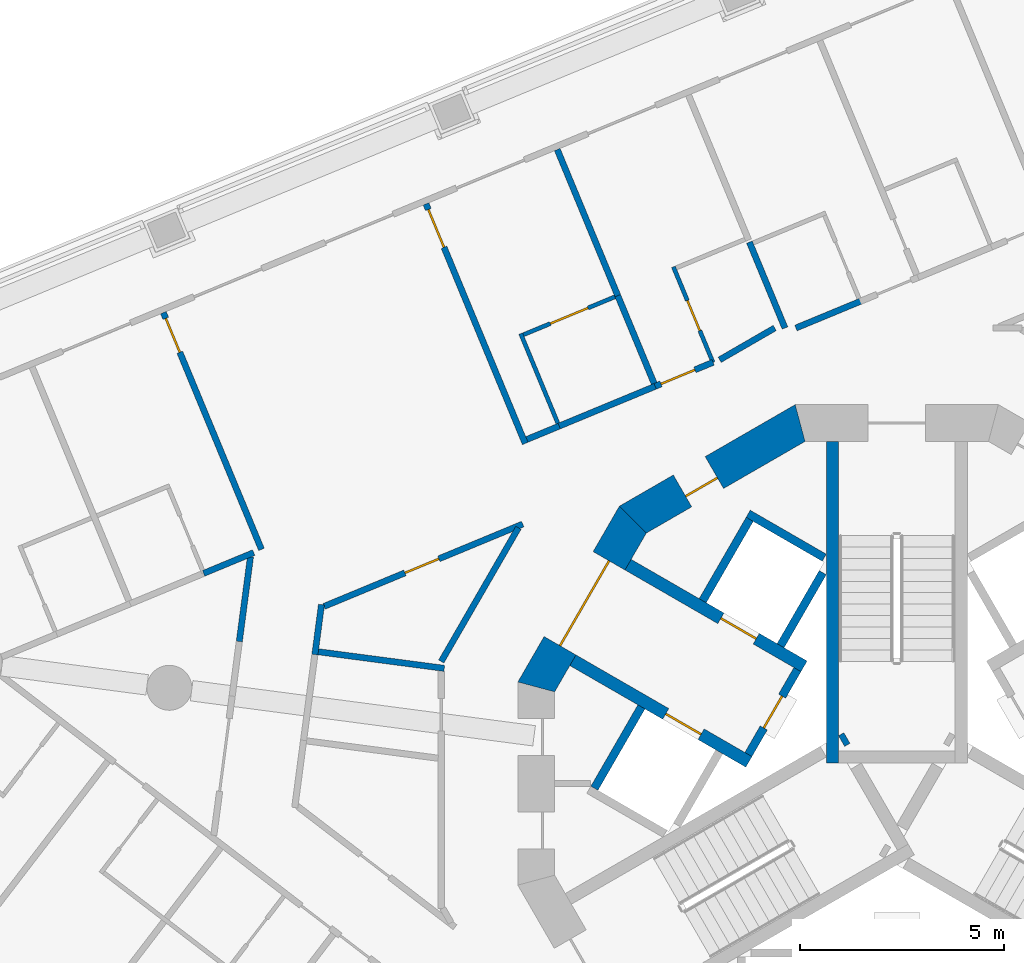
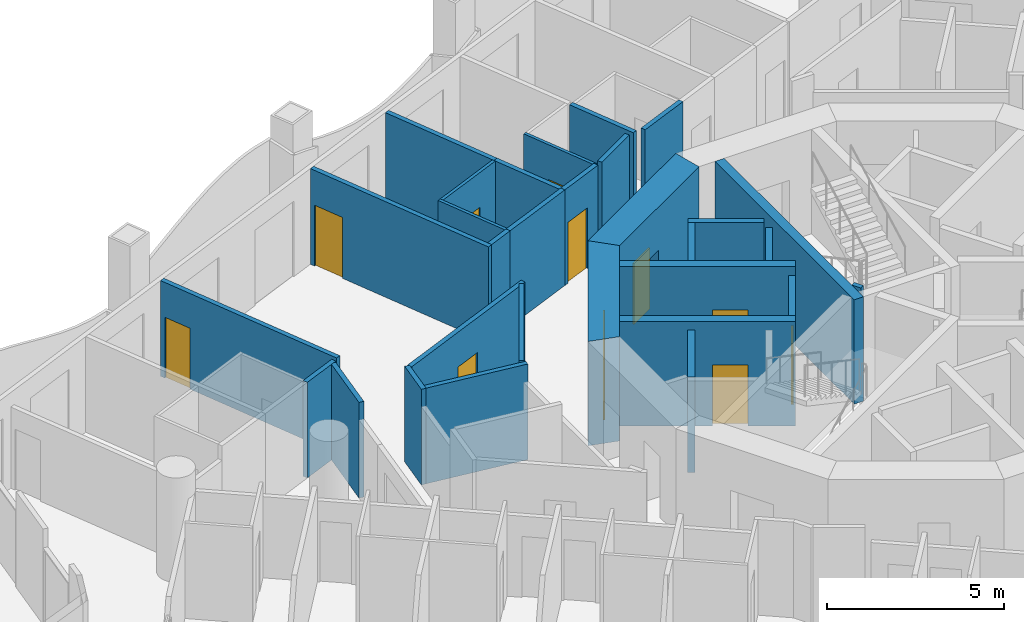
# One storey, part 7 of 18: 30 walls, 11 doors, 11 openings.
"""IFC4 building model written with IfcOpenShell, lengths in metres."""

from ifc_helpers import new_model, si_unit, direction, frame, frame_2d, origin, place, context, subcontext, project, spatial, polyline, rectangle, outline, extrude, material, layer, layer_set, type_object, element, fill, save


model = new_model("IFC4")

# Units and contexts
model_context = context("Model", 3, precision=1e-05, world=origin(), true_north=direction((0.0, 1.0)))
body_context = subcontext(model_context, "Body", "Model", "MODEL_VIEW")
ifc_project = project(units=[si_unit("LENGTHUNIT", "METRE"), si_unit("AREAUNIT", "SQUARE_METRE"), si_unit("VOLUMEUNIT", "CUBIC_METRE"), si_unit("PLANEANGLEUNIT", "RADIAN"), si_unit("MASSUNIT", "GRAM", prefix="KILO")], contexts=[model_context])

# Site, building, storey
site_placement = place(None, origin())
site = spatial("IfcSite", under=ifc_project, at=site_placement, CompositionType="ELEMENT")
building_placement = place(site_placement, origin())
building = spatial("IfcBuilding", under=site, at=building_placement, Name="Trine Commons Tower", CompositionType="ELEMENT")
storey_placement = place(building_placement, frame((0.0, 0.0, 142.199951171875)))
storey = spatial("IfcBuildingStorey", under=building, at=storey_placement, Name="L36", CompositionType="ELEMENT", Elevation=142.199951171875)

# Wall, opening, door
ifc_material_1 = material(Name="Fire-rated gypsum shaft wall system")
ifc_layer_1 = layer(ifc_material_1, 0.199951171875)
ifc_layer_set_1 = layer_set([ifc_layer_1], Name="Fire-rated gypsum shaft wall system")
wall_type_1 = type_object("IfcWallType", Name="Lobby end wall 200 mm, EI 120", PredefinedType="PARTITIONING", material=ifc_layer_set_1)
wall_1_placement = place(storey_placement, frame((77.569091796875, 65.2890625, 0.0), z_axis=(0.0, 0.0, 1.0), x_axis=(-0.50012165622, -0.865955154139, 0.0)))
wall_1 = element("IfcWall", 1, at=wall_1_placement, inside=storey, type_object=wall_type_1, Name="Lobby end wall L36", PredefinedType="PARTITIONING", context=body_context, shape_type="SweptSolid", body=[
    extrude(rectangle(XDim=2.39990234375, YDim=0.199951171875, at=frame_2d((1.199951171875, 0.0))), origin(), (0.0, 0.0, 1.0), 3.300048828125),
])
opening_1_placement = place(wall_1_placement, frame((0.749755859375, 0.0, 0.0)))
opening_1 = element("IfcOpeningElement", 2, at=opening_1_placement, cuts=wall_1, Name="Opening K11.07", PredefinedType="OPENING", context=body_context, shape_type="SweptSolid", body=[
    extrude(rectangle(XDim=0.89990234375, YDim=2.10009765625, at=frame_2d((0.449951171875, 1.050048828125))), frame((0.0, 0.10986328125, 0.0), z_axis=(0.0, -1.0, 0.0), x_axis=(1.0, 0.0, 0.0)), (0.0, 0.0, 1.0), 0.219970703125),
])
ifc_material_2 = material(Name="Steel door leaf, fire-rated", Category="steel")
door_type_1 = type_object("IfcDoorType", Name="Riser access door, single leaf 900 x 2100, FD60", OperationType="SINGLE_SWING_LEFT", PredefinedType="DOOR", material=ifc_material_2)
door_1_placement = place(opening_1_placement, frame((0.89990234375, 0.0, 0.0), z_axis=(0.0, 0.0, 1.0), x_axis=(-1.0, 0.0, 0.0)))
door_1 = element("IfcDoor", 3, at=door_1_placement, inside=storey, type_object=door_type_1, Name="Riser door, Mechanical riser L36", OperationType="SINGLE_SWING_RIGHT", OverallHeight=2.10009765625, OverallWidth=0.89990234375, PredefinedType="DOOR", context=body_context, shape_type="SweptSolid", body=[
    extrude(rectangle(XDim=0.89990234375, YDim=2.10009765625, at=frame_2d((0.449951171875, 1.050048828125))), frame((0.0, 0.02490234375, 0.0), z_axis=(0.0, -1.0, 0.0), x_axis=(1.0, 0.0, 0.0)), (0.0, 0.0, 1.0), 0.050048828125),
])
fill(opening_1, door_1)

ifc_material_3 = material(Name="Concrete C70/85", Category="concrete")
ifc_layer_2 = layer(ifc_material_3, 0.300048828125)
ifc_layer_set_2 = layer_set([ifc_layer_2], Name="Concrete C70/85")
wall_type_2 = type_object("IfcWallType", Name="RC shear wall 300 mm, C70/85", PredefinedType="SHEAR", material=ifc_layer_set_2)
wall_2_placement = place(storey_placement, frame((76.381103515625, 63.031005859375, 0.0), z_axis=(0.0, 0.0, 1.0), x_axis=(-0.866080953719, 0.499903772346, 0.0)))
wall_2 = element("IfcWall", 4, at=wall_2_placement, inside=storey, type_object=wall_type_2, Name="Core cross wall SWB-01 L36", PredefinedType="SHEAR", context=body_context, shape_type="SweptSolid", body=[
    extrude(rectangle(XDim=4.97314453125, YDim=0.300048828125, at=frame_2d((2.486572265625, 0.0))), origin(), (0.0, 0.0, 1.0), 3.60009765625),
])
opening_2_placement = place(wall_2_placement, frame((1.350341796875, 0.0, 0.0)))
opening_2 = element("IfcOpeningElement", 5, at=opening_2_placement, cuts=wall_2, Name="Opening LD7", PredefinedType="OPENING", context=body_context, shape_type="SweptSolid", body=[
    extrude(rectangle(XDim=1.0, YDim=2.10009765625, at=frame_2d((0.5, 1.050048828125))), frame((0.0, 0.159912109375, 0.0), z_axis=(0.0, -1.0, 0.0), x_axis=(1.0, 0.0, 0.0)), (0.0, 0.0, 1.0), 0.320068359375),
])
ifc_material_4 = material(Name="Stainless steel sliding door leaves", Category="steel")
door_type_2 = type_object("IfcDoorType", Name="Lift landing door, centre-opening sliding 1000 x 2100, FD90", OperationType="DOUBLE_DOOR_SLIDING", PredefinedType="DOOR", material=ifc_material_4)
door_2_placement = place(opening_2_placement, origin())
door_2 = element("IfcDoor", 6, at=door_2_placement, inside=storey, type_object=door_type_2, Name="Lift landing door HR3 L36", OperationType="DOUBLE_DOOR_SLIDING", OverallHeight=2.10009765625, OverallWidth=1.0, PredefinedType="DOOR", context=body_context, shape_type="SweptSolid", body=[
    extrude(rectangle(XDim=1.0, YDim=2.10009765625, at=frame_2d((0.5, 1.050048828125))), frame((0.0, 0.02490234375, 0.0), z_axis=(0.0, -1.0, 0.0), x_axis=(1.0, 0.0, 0.0)), (0.0, 0.0, 1.0), 0.050048828125),
])
fill(opening_2, door_2)

wall_3_placement = place(storey_placement, frame((77.73095703125, 65.368896484375, 0.0), z_axis=(0.0, 0.0, 1.0), x_axis=(-0.865983655544, 0.500072303102, 0.0)))
wall_3 = element("IfcWall", 7, at=wall_3_placement, inside=storey, type_object=wall_type_2, Name="Core cross wall SWB-02 L36", PredefinedType="SHEAR", context=body_context, shape_type="SweptSolid", body=[
    extrude(rectangle(XDim=4.973388671875, YDim=0.300048828125, at=frame_2d((2.48681640625, 0.0))), origin(), (0.0, 0.0, 1.0), 3.60009765625),
])
opening_3_placement = place(wall_3_placement, frame((1.3505859375, 0.0, 0.0)))
opening_3 = element("IfcOpeningElement", 8, at=opening_3_placement, cuts=wall_3, Name="Opening LD8", PredefinedType="OPENING", context=body_context, shape_type="SweptSolid", body=[
    extrude(rectangle(XDim=1.0, YDim=2.10009765625, at=frame_2d((0.5, 1.050048828125))), frame((0.0, 0.159912109375, 0.0), z_axis=(0.0, -1.0, 0.0), x_axis=(1.0, 0.0, 0.0)), (0.0, 0.0, 1.0), 0.320068359375),
])
door_3_placement = place(opening_3_placement, origin())
door_3 = element("IfcDoor", 9, at=door_3_placement, inside=storey, type_object=door_type_2, Name="Lift landing door HR4 L36", OperationType="DOUBLE_DOOR_SLIDING", OverallHeight=2.10009765625, OverallWidth=1.0, PredefinedType="DOOR", context=body_context, shape_type="SweptSolid", body=[
    extrude(rectangle(XDim=1.0, YDim=2.10009765625, at=frame_2d((0.5, 1.050048828125))), frame((0.0, 0.02490234375, 0.0), z_axis=(0.0, -1.0, 0.0), x_axis=(1.0, 0.0, 0.0)), (0.0, 0.0, 1.0), 0.050048828125),
])
fill(opening_3, door_3)

# Walls
wall_4_placement = place(storey_placement, frame((78.425048828125, 63.0009765625, 0.0), z_axis=(0.0, 0.0, 1.0), x_axis=(0.0, 1.0, 0.0)))
element("IfcWall", 10, at=wall_4_placement, inside=storey, type_object=wall_type_2, Name="Core cross wall SWB-08 L36", PredefinedType="SHEAR", context=body_context, shape_type="SweptSolid", body=[
    extrude(rectangle(XDim=7.8720703125, YDim=0.300048828125, at=frame_2d((3.93603515625, 0.0))), origin(), (0.0, 0.0, 1.0), 3.60009765625),
])
wall_5_placement = place(storey_placement, frame((78.779052734375, 63.614013671875, 0.0), z_axis=(0.0, 0.0, 1.0), x_axis=(-0.867737973955, -0.497021939713, 0.0)))
element("IfcWall", 11, at=wall_5_placement, inside=storey, type_object=wall_type_2, Name="Core cross wall SWB-09 L36", PredefinedType="SHEAR", context=body_context, shape_type="SweptSolid", body=[
    extrude(rectangle(XDim=0.14892578125, YDim=0.300048828125, at=frame_2d((0.074462890625, 0.0))), origin(), (0.0, 0.0, 1.0), 3.60009765625),
])

# Wall, opening, door
ifc_layer_3 = layer(ifc_material_3, 0.89990234375)
ifc_layer_set_3 = layer_set([ifc_layer_3], Name="Concrete C70/85")
wall_type_3 = type_object("IfcWallType", Name="RC shear wall 900 mm, C70/85", PredefinedType="SHEAR", material=ifc_layer_set_3)
wall_6_placement = place(storey_placement, frame((77.740234375, 71.38330078125, 0.0), z_axis=(0.0, 0.0, 1.0), x_axis=(-0.866003133579, -0.500038571144, 0.0)))
wall_6 = element("IfcWall", 12, at=wall_6_placement, inside=storey, type_object=wall_type_3, Name="Core wall CWD-05 L36", PredefinedType="SHEAR", context=body_context, shape_type="SweptSolid", body=[
    extrude(outline(polyline([(0.0, -0.449951171875), (4.96923828125, -0.449951171875), (4.72802734375, 0.449951171875), (0.2412109375, 0.449951171875), (0.0, -0.449951171875)])), origin(), (0.0, 0.0, 1.0), 3.60009765625),
])
opening_4_placement = place(wall_6_placement, frame((2.544921875, 0.0, 0.0)))
opening_4 = element("IfcOpeningElement", 13, at=opening_4_placement, cuts=wall_6, Name="Opening K11.13", PredefinedType="OPENING", context=body_context, shape_type="SweptSolid", body=[
    extrude(rectangle(XDim=0.89990234375, YDim=2.10009765625, at=frame_2d((0.449951171875, 1.050048828125))), frame((0.0, 0.4599609375, 0.0), z_axis=(0.0, -1.0, 0.0), x_axis=(1.0, 0.0, 0.0)), (0.0, 0.0, 1.0), 0.919921875),
])
door_type_3 = type_object("IfcDoorType", Name="Core room door, single leaf 900 x 2100, FD30S", OperationType="SINGLE_SWING_LEFT", PredefinedType="DOOR", material=ifc_material_2)
door_4_placement = place(opening_4_placement, origin())
door_4 = element("IfcDoor", 14, at=door_4_placement, inside=storey, type_object=door_type_3, Name="Door to Print room L36", OperationType="SINGLE_SWING_RIGHT", OverallHeight=2.10009765625, OverallWidth=0.89990234375, PredefinedType="DOOR", context=body_context, shape_type="SweptSolid", body=[
    extrude(rectangle(XDim=0.89990234375, YDim=2.10009765625, at=frame_2d((0.449951171875, 1.050048828125))), frame((0.0, 0.1748046875, 0.0), z_axis=(0.0, -1.0, 0.0), x_axis=(1.0, 0.0, 0.0)), (0.0, 0.0, 1.0), 0.050048828125),
])
fill(opening_4, door_4)

wall_7_placement = place(storey_placement, frame((73.6015625, 69.063232421875, 0.0), z_axis=(0.0, 0.0, 1.0), x_axis=(-0.500038571144, -0.866003133579, 0.0)))
wall_7 = element("IfcWall", 15, at=wall_7_placement, inside=storey, type_object=wall_type_3, Name="Core wall CWD-06 L36", PredefinedType="SHEAR", context=body_context, shape_type="SweptSolid", body=[
    extrude(outline(polyline([(0.0, -0.449951171875), (4.96923828125, -0.449951171875), (4.72802734375, 0.449951171875), (0.2412109375, 0.449951171875), (0.0, -0.449951171875)])), origin(), (0.0, 0.0, 1.0), 3.60009765625),
])
opening_5_placement = place(wall_7_placement, frame((1.28466796875, 0.0, 0.0)))
opening_5 = element("IfcOpeningElement", 16, at=opening_5_placement, cuts=wall_7, Name="Opening K11.06", PredefinedType="OPENING", context=body_context, shape_type="SweptSolid", body=[
    extrude(rectangle(XDim=2.39990234375, YDim=2.10009765625, at=frame_2d((1.199951171875, 1.050048828125))), frame((0.0, 0.4599609375, 0.0), z_axis=(0.0, -1.0, 0.0), x_axis=(1.0, 0.0, 0.0)), (0.0, 0.0, 1.0), 0.919921875),
])
ifc_material_5 = material(Name="Steel door leaves, fire-rated", Category="steel")
door_type_4 = type_object("IfcDoorType", Name="Lobby door, double leaf 2400 x 2100, FD60", OperationType="DOUBLE_DOOR_SINGLE_SWING", PredefinedType="DOOR", material=ifc_material_5)
door_5_placement = place(opening_5_placement, origin())
door_5 = element("IfcDoor", 17, at=door_5_placement, inside=storey, type_object=door_type_4, Name="Lobby door, Passenger lift lobby B L36", OperationType="DOUBLE_DOOR_SINGLE_SWING", OverallHeight=2.10009765625, OverallWidth=2.39990234375, PredefinedType="DOOR", context=body_context, shape_type="SweptSolid", body=[
    extrude(rectangle(XDim=2.39990234375, YDim=2.10009765625, at=frame_2d((1.199951171875, 1.050048828125))), frame((0.0, 0.02490234375, 0.0), z_axis=(0.0, -1.0, 0.0), x_axis=(1.0, 0.0, 0.0)), (0.0, 0.0, 1.0), 0.050048828125),
])
fill(opening_5, door_5)

# Walls
ifc_layer_4 = layer(ifc_material_1, 0.199951171875)
ifc_layer_set_4 = layer_set([ifc_layer_4], Name="Fire-rated gypsum shaft wall system")
wall_type_4 = type_object("IfcWallType", Name="Shaft wall 200 mm, EI 120", PredefinedType="PARTITIONING", material=ifc_layer_set_4)
for number, where, z_axis, x_axis, name in (
    (18, (73.7509765625, 64.3759765625, 0.0), (0.0, 0.0, 1.0), (-0.500136062276, -0.86594683394, 0.0), "Shaft wall L36"),
    (19, (75.2509765625, 66.97412109375, 0.0), (0.0, 0.0, 1.0), (0.500136062276, 0.86594683394, 0.0), "Shaft wall L36"),
):
    element("IfcWall", number, at=place(storey_placement, frame(where, z_axis=z_axis, x_axis=x_axis)), inside=storey, type_object=wall_type_4, Name=name, PredefinedType="PARTITIONING", context=body_context, shape_type="SweptSolid", body=[
        extrude(rectangle(XDim=2.299072265625, YDim=0.199951171875, at=frame_2d((1.1494140625, 0.0))), origin(), (0.0, 0.0, 1.0), 3.300048828125),
    ])
wall_8_placement = place(storey_placement, frame((77.156005859375, 65.8740234375, 0.0), z_axis=(0.0, 0.0, 1.0), x_axis=(0.499865770674, 0.866102887253, 0.0)))
element("IfcWall", 20, at=wall_8_placement, inside=storey, type_object=wall_type_4, Name="Shaft wall L36", PredefinedType="PARTITIONING", context=body_context, shape_type="SweptSolid", body=[
    extrude(rectangle(XDim=2.064453125, YDim=0.199951171875, at=frame_2d((1.0322265625, 0.0))), origin(), (0.0, 0.0, 1.0), 3.300048828125),
])
wall_9_placement = place(storey_placement, frame((78.22509765625, 68.028076171875, 0.0), z_axis=(0.0, 0.0, 1.0), x_axis=(-0.866130725101, 0.499817533742, 0.0)))
element("IfcWall", 21, at=wall_9_placement, inside=storey, type_object=wall_type_4, Name="Shaft wall L36", PredefinedType="PARTITIONING", context=body_context, shape_type="SweptSolid", body=[
    extrude(rectangle(XDim=2.148681640625, YDim=0.199951171875, at=frame_2d((1.07421875, 0.0))), origin(), (0.0, 0.0, 1.0), 3.300048828125),
])

# Wall, opening, door
ifc_material_6 = material(Name="Gypsum plasterboard on steel stud", Category="steel")
ifc_layer_5 = layer(ifc_material_6, 0.14990234375)
ifc_layer_set_5 = layer_set([ifc_layer_5], Name="Gypsum plasterboard on steel stud")
wall_type_5 = type_object("IfcWallType", Name="Unit and corridor wall 150 mm, EI 60", PredefinedType="PARTITIONING", material=ifc_layer_set_5)
wall_10_placement = place(storey_placement, frame((62.05322265625, 74.02294921875, 0.0), z_axis=(0.0, 0.0, 1.0), x_axis=(0.382756471404, -0.923849275368, 0.0)))
wall_10 = element("IfcWall", 22, at=wall_10_placement, inside=storey, type_object=wall_type_5, Name="Partition 017", PredefinedType="PARTITIONING", context=body_context, shape_type="SweptSolid", body=[
    extrude(rectangle(XDim=6.26953125, YDim=0.14990234375, at=frame_2d((3.134765625, 0.0))), origin(), (0.0, 0.0, 1.0), 3.300048828125),
])
opening_6_placement = place(wall_10_placement, frame((0.14990234375, 0.0, 0.0)))
opening_6 = element("IfcOpeningElement", 23, at=opening_6_placement, cuts=wall_10, Name="Opening D-4B06", PredefinedType="OPENING", context=body_context, shape_type="SweptSolid", body=[
    extrude(rectangle(XDim=0.89990234375, YDim=2.10009765625, at=frame_2d((0.449951171875, 1.050048828125))), frame((0.0, 0.0849609375, 0.0), z_axis=(0.0, -1.0, 0.0), x_axis=(1.0, 0.0, 0.0)), (0.0, 0.0, 1.0), 0.169921875),
])
ifc_material_7 = material(Name="Timber fire door set", Category="wood")
door_type_5 = type_object("IfcDoorType", Name="Bedroom door 900 x 2100, FD30S", OperationType="NOTDEFINED", PredefinedType="DOOR", material=ifc_material_7)
door_6_placement = place(opening_6_placement, frame((0.89990234375, 0.0, 0.0), z_axis=(0.0, 0.0, 1.0), x_axis=(-1.0, 0.0, 0.0)))
door_6 = element("IfcDoor", 24, at=door_6_placement, inside=storey, type_object=door_type_5, Name="Door D-4B06", OperationType="SINGLE_SWING_RIGHT", OverallHeight=2.10009765625, OverallWidth=0.89990234375, PredefinedType="DOOR", context=body_context, shape_type="SweptSolid", body=[
    extrude(rectangle(XDim=0.89990234375, YDim=2.10009765625, at=frame_2d((0.449951171875, 1.050048828125))), frame((0.0, 0.02490234375, 0.0), z_axis=(0.0, -1.0, 0.0), x_axis=(1.0, 0.0, 0.0)), (0.0, 0.0, 1.0), 0.050048828125),
])
fill(opening_6, door_6)

# Walls
wall_11_placement = place(storey_placement, frame((63.0380859375, 67.64404296875, 0.0), z_axis=(0.0, 0.0, 1.0), x_axis=(0.923848523473, 0.38275828623, 0.0)))
element("IfcWall", 25, at=wall_11_placement, inside=storey, type_object=wall_type_5, Name="Partition 021", PredefinedType="PARTITIONING", context=body_context, shape_type="SweptSolid", body=[
    extrude(rectangle(XDim=1.326171875, YDim=0.14990234375, at=frame_2d((0.6630859375, 0.0))), origin(), (0.0, 0.0, 1.0), 3.300048828125),
])
wall_12_placement = place(storey_placement, frame((63.910888671875, 65.97705078125, 0.0), z_axis=(0.0, 0.0, 1.0), x_axis=(0.13074768898, 0.9914156756, 0.0)))
element("IfcWall", 26, at=wall_12_placement, inside=storey, type_object=wall_type_5, Name="Partition 025", PredefinedType="PARTITIONING", context=body_context, shape_type="SweptSolid", body=[
    extrude(rectangle(XDim=2.08935546875, YDim=0.14990234375, at=frame_2d((1.044677734375, 0.0))), origin(), (0.0, 0.0, 1.0), 3.300048828125),
])
wall_13_placement = place(storey_placement, frame((65.76025390625, 65.656494140625, 0.0), z_axis=(0.0, 0.0, 1.0), x_axis=(0.131022785859, 0.99137935705, 0.0)))
element("IfcWall", 27, at=wall_13_placement, inside=storey, type_object=wall_type_5, Name="Partition 031", PredefinedType="PARTITIONING", context=body_context, shape_type="SweptSolid", body=[
    extrude(rectangle(XDim=1.233642578125, YDim=0.14990234375, at=frame_2d((0.61669921875, 0.0))), origin(), (0.0, 0.0, 1.0), 3.300048828125),
])
wall_14_placement = place(storey_placement, frame((65.845458984375, 65.72509765625, 0.0), z_axis=(0.0, 0.0, 1.0), x_axis=(0.991429142169, -0.130645535929, 0.0)))
element("IfcWall", 28, at=wall_14_placement, inside=storey, type_object=wall_type_5, Name="Partition 032", PredefinedType="PARTITIONING", context=body_context, shape_type="SweptSolid", body=[
    extrude(rectangle(XDim=3.107666015625, YDim=0.14990234375, at=frame_2d((1.5537109375, 0.0))), origin(), (0.0, 0.0, 1.0), 3.300048828125),
])

# Wall, opening, door
wall_15_placement = place(storey_placement, frame((65.981201171875, 66.833740234375, 0.0), z_axis=(0.0, 0.0, 1.0), x_axis=(0.923830903719, 0.382800811563, 0.0)))
wall_15 = element("IfcWall", 29, at=wall_15_placement, inside=storey, type_object=wall_type_5, Name="Partition 033", PredefinedType="PARTITIONING", context=body_context, shape_type="SweptSolid", body=[
    extrude(rectangle(XDim=5.26611328125, YDim=0.14990234375, at=frame_2d((2.633056640625, 0.0))), origin(), (0.0, 0.0, 1.0), 3.300048828125),
])
opening_7_placement = place(wall_15_placement, frame((2.1455078125, 0.0, 0.0)))
opening_7 = element("IfcOpeningElement", 30, at=opening_7_placement, cuts=wall_15, Name="Opening D-4B33", PredefinedType="OPENING", context=body_context, shape_type="SweptSolid", body=[
    extrude(rectangle(XDim=0.89990234375, YDim=2.10009765625, at=frame_2d((0.449951171875, 1.050048828125))), frame((0.0, 0.0849609375, 0.0), z_axis=(0.0, -1.0, 0.0), x_axis=(1.0, 0.0, 0.0)), (0.0, 0.0, 1.0), 0.169921875),
])
door_type_6 = type_object("IfcDoorType", Name="Service door 900 x 2100, FD30S", OperationType="NOTDEFINED", PredefinedType="DOOR", material=ifc_material_7)
door_7_placement = place(opening_7_placement, frame((0.89990234375, 0.0, 0.0), z_axis=(0.0, 0.0, 1.0), x_axis=(-1.0, 0.0, 0.0)))
door_7 = element("IfcDoor", 31, at=door_7_placement, inside=storey, type_object=door_type_6, Name="Door D-4B33", OperationType="SINGLE_SWING_RIGHT", OverallHeight=2.10009765625, OverallWidth=0.89990234375, PredefinedType="DOOR", context=body_context, shape_type="SweptSolid", body=[
    extrude(rectangle(XDim=0.89990234375, YDim=2.10009765625, at=frame_2d((0.449951171875, 1.050048828125))), frame((0.0, 0.02490234375, 0.0), z_axis=(0.0, -1.0, 0.0), x_axis=(1.0, 0.0, 0.0)), (0.0, 0.0, 1.0), 0.050048828125),
])
fill(opening_7, door_7)

wall_16_placement = place(storey_placement, frame((68.480224609375, 76.68505859375, 0.0), z_axis=(0.0, 0.0, 1.0), x_axis=(0.382450353434, -0.923976042524, 0.0)))
wall_16 = element("IfcWall", 32, at=wall_16_placement, inside=storey, type_object=wall_type_5, Name="Partition 037", PredefinedType="PARTITIONING", context=body_context, shape_type="SweptSolid", body=[
    extrude(rectangle(XDim=6.3447265625, YDim=0.14990234375, at=frame_2d((3.17236328125, 0.0))), origin(), (0.0, 0.0, 1.0), 3.300048828125),
])
opening_8_placement = place(wall_16_placement, frame((0.14990234375, 0.0, 0.0)))
opening_8 = element("IfcOpeningElement", 33, at=opening_8_placement, cuts=wall_16, Name="Opening D-4B07", PredefinedType="OPENING", context=body_context, shape_type="SweptSolid", body=[
    extrude(rectangle(XDim=1.0, YDim=2.10009765625, at=frame_2d((0.5, 1.050048828125))), frame((0.0, 0.0849609375, 0.0), z_axis=(0.0, -1.0, 0.0), x_axis=(1.0, 0.0, 0.0)), (0.0, 0.0, 1.0), 0.169921875),
])
door_type_7 = type_object("IfcDoorType", Name="Bedroom door 1000 x 2100, FD30S", OperationType="NOTDEFINED", PredefinedType="DOOR", material=ifc_material_7)
door_8_placement = place(opening_8_placement, origin())
door_8 = element("IfcDoor", 34, at=door_8_placement, inside=storey, type_object=door_type_7, Name="Door D-4B07", OperationType="SINGLE_SWING_LEFT", OverallHeight=2.10009765625, OverallWidth=1.0, PredefinedType="DOOR", context=body_context, shape_type="SweptSolid", body=[
    extrude(rectangle(XDim=1.0, YDim=2.10009765625, at=frame_2d((0.5, 1.050048828125))), frame((0.0, 0.02490234375, 0.0), z_axis=(0.0, -1.0, 0.0), x_axis=(1.0, 0.0, 0.0)), (0.0, 0.0, 1.0), 0.050048828125),
])
fill(opening_8, door_8)

# Walls
wall_17_placement = place(storey_placement, frame((68.85205078125, 65.487060546875, 0.0), z_axis=(0.0, 0.0, 1.0), x_axis=(0.500065504582, 0.865987581393, 0.0)))
element("IfcWall", 35, at=wall_17_placement, inside=storey, type_object=wall_type_5, Name="Partition 040", PredefinedType="PARTITIONING", context=body_context, shape_type="SweptSolid", body=[
    extrude(rectangle(XDim=3.7783203125, YDim=0.14990234375, at=frame_2d((1.88916015625, 0.0))), origin(), (0.0, 0.0, 1.0), 3.300048828125),
])
wall_18_placement = place(storey_placement, frame((70.947265625, 70.920654296875, 0.0), z_axis=(0.0, 0.0, 1.0), x_axis=(0.924110536197, 0.382125263349, 0.0)))
element("IfcWall", 36, at=wall_18_placement, inside=storey, type_object=wall_type_5, Name="Partition 046", PredefinedType="PARTITIONING", context=body_context, shape_type="SweptSolid", body=[
    extrude(rectangle(XDim=0.856689453125, YDim=0.14990234375, at=frame_2d((0.42822265625, 0.0))), origin(), (0.0, 0.0, 1.0), 3.300048828125),
])
wall_19_placement = place(storey_placement, frame((71.69140625, 78.014892578125, 0.0), z_axis=(0.0, 0.0, 1.0), x_axis=(0.382665703831, -0.923886875711, 0.0)))
element("IfcWall", 37, at=wall_19_placement, inside=storey, type_object=wall_type_5, Name="Partition 048", PredefinedType="PARTITIONING", context=body_context, shape_type="SweptSolid", body=[
    extrude(rectangle(XDim=3.869384765625, YDim=0.14990234375, at=frame_2d((1.9345703125, 0.0))), origin(), (0.0, 0.0, 1.0), 3.300048828125),
])
wall_20_placement = place(storey_placement, frame((71.684814453125, 71.225830078125, 0.0), z_axis=(0.0, 0.0, 1.0), x_axis=(0.923883380163, 0.382674143181, 0.0)))
element("IfcWall", 38, at=wall_20_placement, inside=storey, type_object=wall_type_5, Name="Partition 049", PredefinedType="PARTITIONING", context=body_context, shape_type="SweptSolid", body=[
    extrude(rectangle(XDim=2.608642578125, YDim=0.14990234375, at=frame_2d((1.30419921875, 0.0))), origin(), (0.0, 0.0, 1.0), 3.300048828125),
])
wall_21_placement = place(storey_placement, frame((73.172119140625, 74.43994140625, 0.0), z_axis=(0.0, 0.0, 1.0), x_axis=(0.382877328836, -0.923799194123, 0.0)))
element("IfcWall", 39, at=wall_21_placement, inside=storey, type_object=wall_type_5, Name="Partition 051", PredefinedType="PARTITIONING", context=body_context, shape_type="SweptSolid", body=[
    extrude(rectangle(XDim=2.324951171875, YDim=0.14990234375, at=frame_2d((1.16259765625, 0.0))), origin(), (0.0, 0.0, 1.0), 3.300048828125),
])

# Wall, opening, door
wall_22_placement = place(storey_placement, frame((74.087890625, 72.220947265625, 0.0), z_axis=(0.0, 0.0, 1.0), x_axis=(0.923720156635, 0.383067973375, 0.0)))
wall_22 = element("IfcWall", 40, at=wall_22_placement, inside=storey, type_object=wall_type_5, Name="Partition 054", PredefinedType="PARTITIONING", context=body_context, shape_type="SweptSolid", body=[
    extrude(rectangle(XDim=1.535400390625, YDim=0.14990234375, at=frame_2d((0.767578125, 0.0))), origin(), (0.0, 0.0, 1.0), 3.300048828125),
])
opening_9_placement = place(wall_22_placement, frame((0.153564453125, 0.0, 0.0)))
opening_9 = element("IfcOpeningElement", 41, at=opening_9_placement, cuts=wall_22, Name="Opening D-4B08", PredefinedType="OPENING", context=body_context, shape_type="SweptSolid", body=[
    extrude(rectangle(XDim=0.89990234375, YDim=2.10009765625, at=frame_2d((0.449951171875, 1.050048828125))), frame((0.0, 0.0849609375, 0.0), z_axis=(0.0, -1.0, 0.0), x_axis=(1.0, 0.0, 0.0)), (0.0, 0.0, 1.0), 0.169921875),
])
door_9_placement = place(opening_9_placement, origin())
door_9 = element("IfcDoor", 42, at=door_9_placement, inside=storey, type_object=door_type_5, Name="Door D-4B08", OperationType="SINGLE_SWING_LEFT", OverallHeight=2.10009765625, OverallWidth=0.89990234375, PredefinedType="DOOR", context=body_context, shape_type="SweptSolid", body=[
    extrude(rectangle(XDim=0.89990234375, YDim=2.10009765625, at=frame_2d((0.449951171875, 1.050048828125))), frame((0.0, 0.02490234375, 0.0), z_axis=(0.0, -1.0, 0.0), x_axis=(1.0, 0.0, 0.0)), (0.0, 0.0, 1.0), 0.050048828125),
])
fill(opening_9, door_9)

# Walls
wall_23_placement = place(storey_placement, frame((75.666015625, 72.8701171875, 0.0), z_axis=(0.0, 0.0, 1.0), x_axis=(0.865973841288, 0.500089298231, 0.0)))
element("IfcWall", 43, at=wall_23_placement, inside=storey, type_object=wall_type_5, Name="Partition 060", PredefinedType="PARTITIONING", context=body_context, shape_type="SweptSolid", body=[
    extrude(rectangle(XDim=1.555419921875, YDim=0.14990234375, at=frame_2d((0.77783203125, 0.0))), origin(), (0.0, 0.0, 1.0), 3.300048828125),
])
wall_24_placement = place(storey_placement, frame((76.393798828125, 75.750244140625, 0.0), z_axis=(0.0, 0.0, 1.0), x_axis=(0.382427611574, -0.923985455462, 0.0)))
element("IfcWall", 44, at=wall_24_placement, inside=storey, type_object=wall_type_5, Name="Partition 063", PredefinedType="PARTITIONING", context=body_context, shape_type="SweptSolid", body=[
    extrude(rectangle(XDim=2.275146484375, YDim=0.14990234375, at=frame_2d((1.1376953125, 0.0))), origin(), (0.0, 0.0, 1.0), 3.300048828125),
])
wall_25_placement = place(storey_placement, frame((77.531982421875, 73.64794921875, 0.0), z_axis=(0.0, 0.0, 1.0), x_axis=(0.923933858908, 0.3825522505, 0.0)))
element("IfcWall", 45, at=wall_25_placement, inside=storey, type_object=wall_type_5, Name="Partition 065", PredefinedType="PARTITIONING", context=body_context, shape_type="SweptSolid", body=[
    extrude(rectangle(XDim=1.7568359375, YDim=0.14990234375, at=frame_2d((0.87841796875, 0.0))), origin(), (0.0, 0.0, 1.0), 3.300048828125),
])
ifc_layer_6 = layer(ifc_material_6, 0.10009765625)
ifc_layer_set_6 = layer_set([ifc_layer_6], Name="Gypsum plasterboard on steel stud")
wall_type_6 = type_object("IfcWallType", Name="Unit partition 100 mm, no rating", PredefinedType="PARTITIONING", material=ifc_layer_set_6)
wall_26_placement = place(storey_placement, frame((70.796875, 73.51025390625, 0.0), z_axis=(0.0, 0.0, 1.0), x_axis=(0.382935858865, -0.923774933626, 0.0)))
element("IfcWall", 46, at=wall_26_placement, inside=storey, type_object=wall_type_6, Name="Partition 044", PredefinedType="PARTITIONING", context=body_context, shape_type="SweptSolid", body=[
    extrude(rectangle(XDim=2.374755859375, YDim=0.10009765625, at=frame_2d((1.1875, 0.0))), origin(), (0.0, 0.0, 1.0), 3.300048828125),
])

# Wall, opening, door
wall_27_placement = place(storey_placement, frame((70.8623046875, 73.483154296875, 0.0), z_axis=(0.0, 0.0, 1.0), x_axis=(0.923852403891, 0.382748920082, 0.0)))
wall_27 = element("IfcWall", 47, at=wall_27_placement, inside=storey, type_object=wall_type_6, Name="Partition 045", PredefinedType="PARTITIONING", context=body_context, shape_type="SweptSolid", body=[
    extrude(rectangle(XDim=2.425048828125, YDim=0.10009765625, at=frame_2d((1.21240234375, 0.0))), origin(), (0.0, 0.0, 1.0), 3.300048828125),
])
opening_10_placement = place(wall_27_placement, frame((0.712646484375, 0.0, 0.0)))
opening_10 = element("IfcOpeningElement", 48, at=opening_10_placement, cuts=wall_27, Name="Opening D-4B38", PredefinedType="OPENING", context=body_context, shape_type="SweptSolid", body=[
    extrude(rectangle(XDim=1.0, YDim=2.10009765625, at=frame_2d((0.5, 1.050048828125))), frame((0.0, 0.06005859375, 0.0), z_axis=(0.0, -1.0, 0.0), x_axis=(1.0, 0.0, 0.0)), (0.0, 0.0, 1.0), 0.1201171875),
])
ifc_material_8 = material(Name="Painted timber", Category="wood")
door_type_8 = type_object("IfcDoorType", Name="Internal door 1000 x 2100, NOT RATED", OperationType="NOTDEFINED", PredefinedType="DOOR", material=ifc_material_8)
door_10_placement = place(opening_10_placement, origin())
door_10 = element("IfcDoor", 49, at=door_10_placement, inside=storey, type_object=door_type_8, Name="Door D-4B38", OperationType="SINGLE_SWING_RIGHT", OverallHeight=2.10009765625, OverallWidth=1.0, PredefinedType="DOOR", context=body_context, shape_type="SweptSolid", body=[
    extrude(rectangle(XDim=1.0, YDim=2.10009765625, at=frame_2d((0.5, 1.050048828125))), frame((0.0, 0.02490234375, 0.0), z_axis=(0.0, -1.0, 0.0), x_axis=(1.0, 0.0, 0.0)), (0.0, 0.0, 1.0), 0.050048828125),
])
fill(opening_10, door_10)

wall_28_placement = place(storey_placement, frame((74.533935546875, 75.145263671875, 0.0), z_axis=(0.0, 0.0, 1.0), x_axis=(0.382490955249, -0.923959235655, 0.0)))
wall_28 = element("IfcWall", 50, at=wall_28_placement, inside=storey, type_object=wall_type_6, Name="Partition 057", PredefinedType="PARTITIONING", context=body_context, shape_type="SweptSolid", body=[
    extrude(rectangle(XDim=2.53076171875, YDim=0.10009765625, at=frame_2d((1.265380859375, 0.0))), origin(), (0.0, 0.0, 1.0), 3.300048828125),
])
opening_11_placement = place(wall_28_placement, frame((0.890380859375, 0.0, 0.0)))
opening_11 = element("IfcOpeningElement", 51, at=opening_11_placement, cuts=wall_28, Name="Opening D-4B39", PredefinedType="OPENING", context=body_context, shape_type="SweptSolid", body=[
    extrude(rectangle(XDim=0.800048828125, YDim=2.10009765625, at=frame_2d((0.39990234375, 1.050048828125))), frame((0.0, 0.06005859375, 0.0), z_axis=(0.0, -1.0, 0.0), x_axis=(1.0, 0.0, 0.0)), (0.0, 0.0, 1.0), 0.1201171875),
])
door_type_9 = type_object("IfcDoorType", Name="Internal door 800 x 2100, NOT RATED", OperationType="NOTDEFINED", PredefinedType="DOOR", material=ifc_material_8)
door_11_placement = place(opening_11_placement, frame((0.800048828125, 0.0, 0.0), z_axis=(0.0, 0.0, 1.0), x_axis=(-1.0, 0.0, 0.0)))
door_11 = element("IfcDoor", 52, at=door_11_placement, inside=storey, type_object=door_type_9, Name="Door D-4B39", OperationType="SINGLE_SWING_LEFT", OverallHeight=2.10009765625, OverallWidth=0.800048828125, PredefinedType="DOOR", context=body_context, shape_type="SweptSolid", body=[
    extrude(rectangle(XDim=0.800048828125, YDim=2.10009765625, at=frame_2d((0.39990234375, 1.050048828125))), frame((0.0, 0.02490234375, 0.0), z_axis=(0.0, -1.0, 0.0), x_axis=(1.0, 0.0, 0.0)), (0.0, 0.0, 1.0), 0.050048828125),
])
fill(opening_11, door_11)

save(model, "model.ifc")
